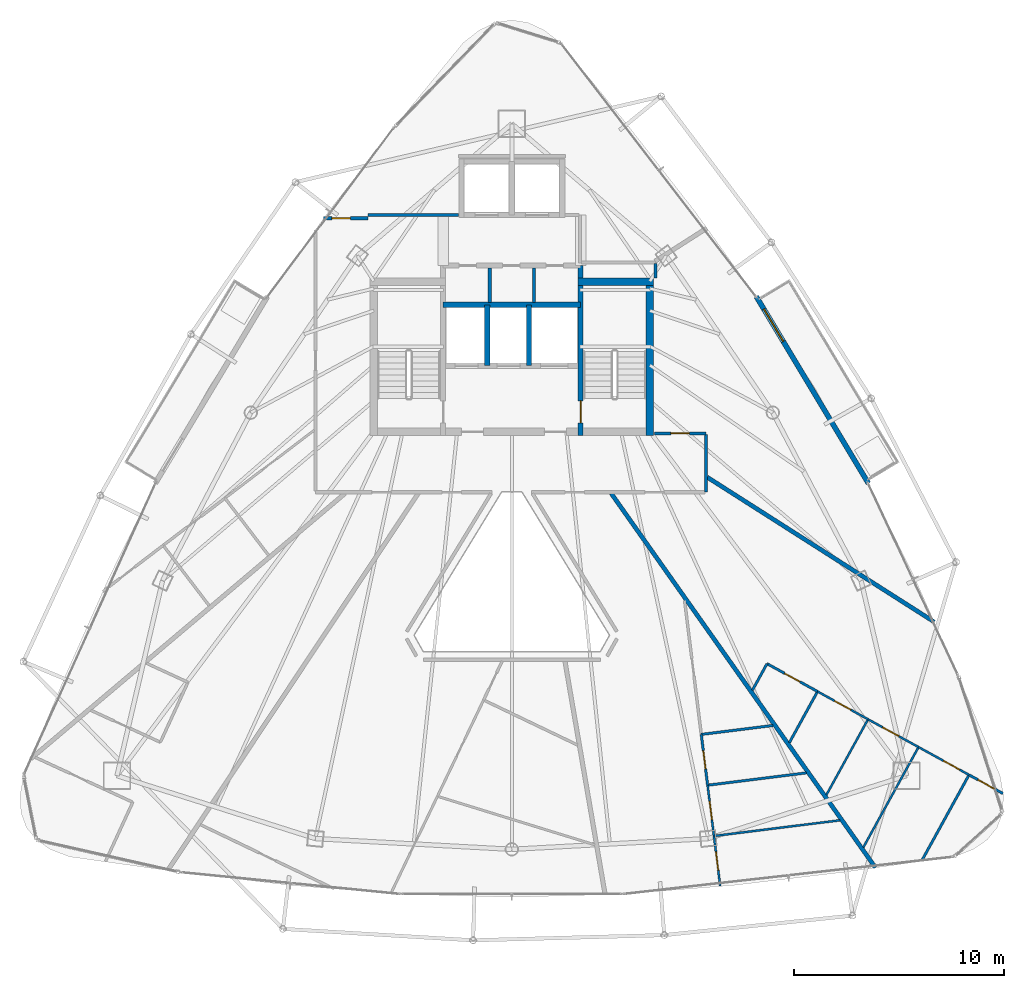
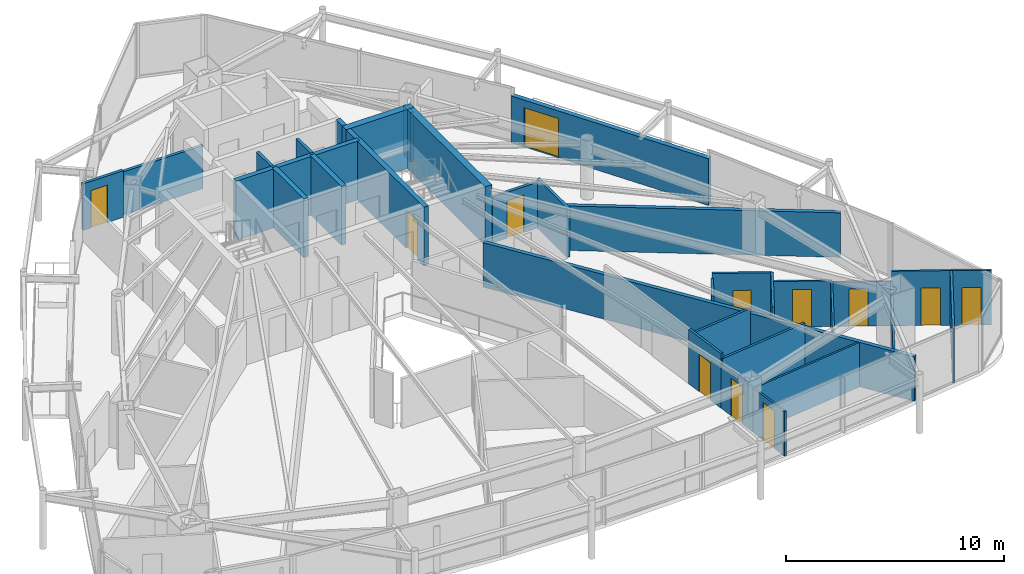
# One storey, part 29 of 33: 32 walls, 12 doors, 12 openings.
"""IFC4 building model written with IfcOpenShell, lengths in metres."""

from ifc_helpers import new_model, si_unit, direction, frame, frame_2d, origin, place, context, subcontext, project, spatial, rectangle, extrude, material, layer, layer_set, type_object, element, fill, save


model = new_model("IFC4")

# Units and contexts
model_context = context("Model", 3, precision=1e-05, world=origin(), true_north=direction((0.0, 1.0)))
body_context = subcontext(model_context, "Body", "Model", "MODEL_VIEW")
ifc_project = project(units=[si_unit("LENGTHUNIT", "METRE"), si_unit("AREAUNIT", "SQUARE_METRE"), si_unit("VOLUMEUNIT", "CUBIC_METRE"), si_unit("PLANEANGLEUNIT", "RADIAN"), si_unit("MASSUNIT", "GRAM", prefix="KILO")], contexts=[model_context])

# Site, building, storey
site_placement = place(None, origin())
site = spatial("IfcSite", under=ifc_project, at=site_placement, CompositionType="ELEMENT")
building_placement = place(site_placement, origin())
building = spatial("IfcBuilding", under=site, at=building_placement, Name="Orvanel Arch Residences", CompositionType="ELEMENT")
storey_placement = place(building_placement, frame((0.0, 0.0, 209.60009765625)))
storey = spatial("IfcBuildingStorey", under=building, at=storey_placement, Name="L59", CompositionType="ELEMENT", Elevation=209.60009765625)

# Wall, opening, door
ifc_material_1 = material(Name="Precast concrete N50 (50 MPa)", Category="concrete")
ifc_layer_1 = layer(ifc_material_1, 0.239990234375)
ifc_layer_set_1 = layer_set([ifc_layer_1], Name="Precast concrete N50 (50 MPa)")
wall_type_1 = type_object("IfcWallType", Name="EW-BAL-240", PredefinedType="SOLIDWALL", material=ifc_layer_set_1)
wall_1_placement = place(storey_placement, frame((49.98193359375, 24.27490234375, 0.0), z_axis=(0.0, 0.0, 1.0), x_axis=(-0.514391899557, 0.857555230682, 0.0)))
wall_1 = element("IfcWall", 1, at=wall_1_placement, inside=storey, type_object=wall_type_1, Name="L59 Balcony Threshold Wall Face 3", PredefinedType="SOLIDWALL", context=body_context, shape_type="SweptSolid", body=[
    extrude(rectangle(XDim=10.371337890625, YDim=0.239990234375, at=frame_2d((5.185546875, 0.0))), origin(), (0.0, 0.0, 1.0), 2.6240234375),
])
opening_1_placement = place(wall_1_placement, frame((7.8740234375, 0.0, 0.0)))
opening_1 = element("IfcOpeningElement", 2, at=opening_1_placement, cuts=wall_1, Name="Opening DB-180", PredefinedType="OPENING", context=body_context, shape_type="SweptSolid", body=[
    extrude(rectangle(XDim=1.800048828125, YDim=2.199951171875, at=frame_2d((0.89990234375, 1.10009765625))), frame((0.0, 0.1298828125, 0.0), z_axis=(0.0, -1.0, 0.0), x_axis=(1.0, 0.0, 0.0)), (0.0, 0.0, 1.0), 0.260009765625),
])
ifc_material_2 = material(Name="Bronze-anodised aluminium AA6063-T6", Category="aluminium")
door_type_1 = type_object("IfcDoorType", Name="DR-BAL-1800", OperationType="NOTDEFINED", PredefinedType="DOOR", material=ifc_material_2)
door_1_placement = place(opening_1_placement, origin())
door_1 = element("IfcDoor", 3, at=door_1_placement, inside=storey, type_object=door_type_1, Name="DR-L59-BAL-F3 L59 Planted Balcony Access Door Face 3", OperationType="SINGLE_SWING_LEFT", OverallHeight=2.199951171875, OverallWidth=1.800048828125, PredefinedType="DOOR", context=body_context, shape_type="SweptSolid", body=[
    extrude(rectangle(XDim=1.800048828125, YDim=2.199951171875, at=frame_2d((0.89990234375, 1.10009765625))), frame((0.0, 0.02490234375, 0.0), z_axis=(0.0, -1.0, 0.0), x_axis=(1.0, 0.0, 0.0)), (0.0, 0.0, 1.0), 0.050048828125),
])
fill(opening_1, door_1)

ifc_material_3 = material(Name="Concrete N50 (50 MPa)", Category="concrete")
ifc_layer_2 = layer(ifc_material_3, 0.25)
ifc_layer_set_2 = layer_set([ifc_layer_2], Name="Concrete N50 (50 MPa)")
wall_type_2 = type_object("IfcWallType", Name="SW-CORE-250", PredefinedType="SHEAR", material=ifc_layer_set_2)
wall_2_placement = place(storey_placement, frame((36.27490234375, 26.550048828125, 0.0), z_axis=(0.0, 0.0, 1.0), x_axis=(0.0, 1.0, 0.0)))
wall_2 = element("IfcWall", 4, at=wall_2_placement, inside=storey, type_object=wall_type_2, Name="L59 East Inner Core Spine Shear Wall", PredefinedType="SHEAR", context=body_context, shape_type="SweptSolid", body=[
    extrude(rectangle(XDim=8.099853515625, YDim=0.25, at=frame_2d((4.0498046875, 0.0))), origin(), (0.0, 0.0, 1.0), 3.2998046875),
])
opening_2_placement = place(wall_2_placement, frame((0.60009765625, 0.0, 0.0)))
opening_2 = element("IfcOpeningElement", 5, at=opening_2_placement, cuts=wall_2, Name="Opening DF-120", PredefinedType="OPENING", context=body_context, shape_type="SweptSolid", body=[
    extrude(rectangle(XDim=1.050048828125, YDim=2.14990234375, at=frame_2d((0.52490234375, 1.074951171875))), frame((0.0, 0.135009765625, 0.0), z_axis=(0.0, -1.0, 0.0), x_axis=(1.0, 0.0, 0.0)), (0.0, 0.0, 1.0), 0.27001953125),
])
ifc_material_4 = material(Name="Galvanised steel fire-resisting door assembly", Category="steel")
door_type_2 = type_object("IfcDoorType", Name="DR-FD120-1050", OperationType="NOTDEFINED", PredefinedType="DOOR", material=ifc_material_4)
door_2_placement = place(opening_2_placement, origin())
door_2 = element("IfcDoor", 6, at=door_2_placement, inside=storey, type_object=door_type_2, Name="DR-L59-ST2 L59 Stair 2 Fire Door", OperationType="SINGLE_SWING_RIGHT", OverallHeight=2.14990234375, OverallWidth=1.050048828125, PredefinedType="DOOR", context=body_context, shape_type="SweptSolid", body=[
    extrude(rectangle(XDim=1.050048828125, YDim=2.14990234375, at=frame_2d((0.52490234375, 1.074951171875))), frame((0.0, 0.02490234375, 0.0), z_axis=(0.0, -1.0, 0.0), x_axis=(1.0, 0.0, 0.0)), (0.0, 0.0, 1.0), 0.050048828125),
])
fill(opening_2, door_2)

# Walls
wall_3_placement = place(storey_placement, frame((29.72509765625, 32.77490234375, 0.0), z_axis=(0.0, 0.0, 1.0), x_axis=(1.0, 0.0, 0.0)))
element("IfcWall", 7, at=wall_3_placement, inside=storey, type_object=wall_type_2, Name="L59 Emergency Lift Back Core Shear Wall", PredefinedType="SHEAR", context=body_context, shape_type="SweptSolid", body=[
    extrude(rectangle(XDim=6.5498046875, YDim=0.25, at=frame_2d((3.27490234375, 0.0))), origin(), (0.0, 0.0, 1.0), 3.2998046875),
])
for number, where, z_axis, x_axis, name in (
    (8, (31.824951171875, 29.875, 0.0), (0.0, 0.0, 1.0), (0.0, 1.0, 0.0), "L59 Emergency Lift Inter-Shaft Wall F12"),
    (9, (33.824951171875, 29.875, 0.0), (0.0, 0.0, 1.0), (0.0, 1.0, 0.0), "L59 Emergency Lift Inter-Shaft Wall F2G"),
):
    element("IfcWall", number, at=place(storey_placement, frame(where, z_axis=z_axis, x_axis=x_axis)), inside=storey, type_object=wall_type_2, Name=name, PredefinedType="SHEAR", context=body_context, shape_type="SweptSolid", body=[
        extrude(rectangle(XDim=2.89990234375, YDim=0.25, at=frame_2d((1.449951171875, 0.0))), origin(), (0.0, 0.0, 1.0), 3.2998046875),
    ])
ifc_layer_3 = layer(ifc_material_3, 0.35009765625)
ifc_layer_set_3 = layer_set([ifc_layer_3], Name="Concrete N50 (50 MPa)")
wall_type_3 = type_object("IfcWallType", Name="SW-CORE-350", PredefinedType="SHEAR", material=ifc_layer_set_3)
wall_4_placement = place(storey_placement, frame((39.574951171875, 26.550048828125, 0.0), z_axis=(0.0, 0.0, 1.0), x_axis=(0.0, 1.0, 0.0)))
element("IfcWall", 10, at=wall_4_placement, inside=storey, type_object=wall_type_3, Name="L59 East Stair Shear Wall", PredefinedType="SHEAR", context=body_context, shape_type="SweptSolid", body=[
    extrude(rectangle(XDim=7.5, YDim=0.35009765625, at=frame_2d((3.75, 0.0))), origin(), (0.0, 0.0, 1.0), 3.2998046875),
])
wall_5_placement = place(storey_placement, frame((36.14990234375, 33.875, 0.0), z_axis=(0.0, 0.0, 1.0), x_axis=(1.0, 0.0, 0.0)))
element("IfcWall", 11, at=wall_5_placement, inside=storey, type_object=wall_type_3, Name="L59 East Stair North Shear Wall", PredefinedType="SHEAR", context=body_context, shape_type="SweptSolid", body=[
    extrude(rectangle(XDim=3.60009765625, YDim=0.35009765625, at=frame_2d((1.800048828125, 0.0))), origin(), (0.0, 0.0, 1.0), 3.2998046875),
])

# Wall, opening, door
ifc_material_5 = material(Name="Fire-rated plasterboard lined steel stud partition", Category="steel")
ifc_layer_4 = layer(ifc_material_5, 0.14990234375)
ifc_layer_set_4 = layer_set([ifc_layer_4], Name="Fire-rated plasterboard lined steel stud partition")
wall_type_4 = type_object("IfcWallType", Name="W-COR-150", PredefinedType="PARTITIONING", material=ifc_layer_set_4)
wall_6_placement = place(storey_placement, frame((24.028076171875, 36.89990234375, 0.0), z_axis=(0.0, 0.0, 1.0), x_axis=(1.0, 0.0, 0.0)))
wall_6 = element("IfcWall", 12, at=wall_6_placement, inside=storey, type_object=wall_type_4, Name="L59 Corridor Fire-Rated Partition", PredefinedType="PARTITIONING", context=body_context, shape_type="SweptSolid", body=[
    extrude(rectangle(XDim=2.121826171875, YDim=0.14990234375, at=frame_2d((1.06103515625, 0.0))), origin(), (0.0, 0.0, 1.0), 2.618896484375),
])
opening_3_placement = place(wall_6_placement, frame((0.406005859375, 0.0, 0.0)))
opening_3 = element("IfcOpeningElement", 13, at=opening_3_placement, cuts=wall_6, Name="Opening DI-088", PredefinedType="OPENING", context=body_context, shape_type="SweptSolid", body=[
    extrude(rectangle(XDim=0.8798828125, YDim=2.10009765625, at=frame_2d((0.43994140625, 1.050048828125))), frame((0.0, 0.0849609375, 0.0), z_axis=(0.0, -1.0, 0.0), x_axis=(1.0, 0.0, 0.0)), (0.0, 0.0, 1.0), 0.169921875),
])
ifc_material_6 = material(Name="Solid-core European oak veneer fire door leaf", Category="wood")
door_type_3 = type_object("IfcDoorType", Name="DR-INT-880", OperationType="NOTDEFINED", PredefinedType="DOOR", material=ifc_material_6)
door_3_placement = place(opening_3_placement, origin())
door_3 = element("IfcDoor", 14, at=door_3_placement, inside=storey, type_object=door_type_3, Name="DR-L59-SHRD-FB7 L59 Co-Working Study Office G Door", OperationType="SINGLE_SWING_LEFT", OverallHeight=2.10009765625, OverallWidth=0.8798828125, PredefinedType="DOOR", context=body_context, shape_type="SweptSolid", body=[
    extrude(rectangle(XDim=0.8798828125, YDim=2.10009765625, at=frame_2d((0.43994140625, 1.050048828125))), frame((0.0, 0.02490234375, 0.0), z_axis=(0.0, -1.0, 0.0), x_axis=(1.0, 0.0, 0.0)), (0.0, 0.0, 1.0), 0.050048828125),
])
fill(opening_3, door_3)

wall_7_placement = place(storey_placement, frame((39.7900390625, 26.64990234375, 0.0), z_axis=(0.0, 0.0, 1.0), x_axis=(1.0, 0.0, 0.0)))
wall_7 = element("IfcWall", 15, at=wall_7_placement, inside=storey, type_object=wall_type_4, Name="L59 Corridor Fire-Rated Partition", PredefinedType="PARTITIONING", context=body_context, shape_type="SweptSolid", body=[
    extrude(rectangle(XDim=2.4599609375, YDim=0.14990234375, at=frame_2d((1.22998046875, 0.0))), origin(), (0.0, 0.0, 1.0), 2.56494140625),
])
opening_4_placement = place(wall_7_placement, frame((0.7900390625, 0.0, 0.0)))
opening_4 = element("IfcOpeningElement", 16, at=opening_4_placement, cuts=wall_7, Name="Opening DI-088", PredefinedType="OPENING", context=body_context, shape_type="SweptSolid", body=[
    extrude(rectangle(XDim=0.8798828125, YDim=2.10009765625, at=frame_2d((0.43994140625, 1.050048828125))), frame((0.0, 0.0849609375, 0.0), z_axis=(0.0, -1.0, 0.0), x_axis=(1.0, 0.0, 0.0)), (0.0, 0.0, 1.0), 0.169921875),
])
door_4_placement = place(opening_4_placement, origin())
door_4 = element("IfcDoor", 17, at=door_4_placement, inside=storey, type_object=door_type_3, Name="DR-L59-SHRD-FB6 L59 Co-Working Study Office F Door", OperationType="SINGLE_SWING_LEFT", OverallHeight=2.10009765625, OverallWidth=0.8798828125, PredefinedType="DOOR", context=body_context, shape_type="SweptSolid", body=[
    extrude(rectangle(XDim=0.8798828125, YDim=2.10009765625, at=frame_2d((0.43994140625, 1.050048828125))), frame((0.0, 0.02490234375, 0.0), z_axis=(0.0, -1.0, 0.0), x_axis=(1.0, 0.0, 0.0)), (0.0, 0.0, 1.0), 0.050048828125),
])
fill(opening_4, door_4)

# Walls
wall_8_placement = place(storey_placement, frame((42.25, 26.590087890625, 0.0), z_axis=(0.0, 0.0, 1.0), x_axis=(0.0, -1.0, 0.0)))
element("IfcWall", 18, at=wall_8_placement, inside=storey, type_object=wall_type_4, Name="L59 Corridor Fire-Rated Partition", PredefinedType="PARTITIONING", context=body_context, shape_type="SweptSolid", body=[
    extrude(rectangle(XDim=2.739990234375, YDim=0.14990234375, at=frame_2d((1.3701171875, 0.0))), origin(), (0.0, 0.0, 1.0), 2.77294921875),
])
wall_9_placement = place(storey_placement, frame((26.14990234375, 37.050048828125, 0.0), z_axis=(0.0, 0.0, 1.0), x_axis=(1.0, 0.0, 0.0)))
element("IfcWall", 19, at=wall_9_placement, inside=storey, type_object=wall_type_4, Name="L59 Core Perimeter Partition", PredefinedType="PARTITIONING", context=body_context, shape_type="SweptSolid", body=[
    extrude(rectangle(XDim=4.300048828125, YDim=0.14990234375, at=frame_2d((2.14990234375, 0.0))), origin(), (0.0, 0.0, 1.0), 2.4248046875),
])
wall_10_placement = place(storey_placement, frame((39.85009765625, 34.739990234375, 0.0), z_axis=(0.0, 0.0, 1.0), x_axis=(0.0, -1.0, 0.0)))
element("IfcWall", 20, at=wall_10_placement, inside=storey, type_object=wall_type_4, Name="L59 Core Perimeter Partition", PredefinedType="PARTITIONING", context=body_context, shape_type="SweptSolid", body=[
    extrude(rectangle(XDim=0.68994140625, YDim=0.14990234375, at=frame_2d((0.344970703125, 0.0))), origin(), (0.0, 0.0, 1.0), 2.77294921875),
])
ifc_layer_5 = layer(ifc_material_5, 0.199951171875)
ifc_layer_set_5 = layer_set([ifc_layer_5], Name="Fire-rated plasterboard lined steel stud partition")
wall_type_5 = type_object("IfcWallType", Name="W-DEM-200", PredefinedType="PARTITIONING", material=ifc_layer_set_5)
wall_11_placement = place(storey_placement, frame((50.31591796875, 5.97607421875, 0.0), z_axis=(0.0, 0.0, 1.0), x_axis=(-0.576784728977, 0.816896184603, 0.0)))
element("IfcWall", 21, at=wall_11_placement, inside=storey, type_object=wall_type_5, Name="L59 Inter-Tenancy Acoustic Demising Wall", PredefinedType="PARTITIONING", context=body_context, shape_type="SweptSolid", body=[
    extrude(rectangle(XDim=21.806884765625, YDim=0.199951171875, at=frame_2d((10.9033203125, 0.0))), origin(), (0.0, 0.0, 1.0), 2.491943359375),
])
wall_12_placement = place(storey_placement, frame((42.31005859375, 24.56494140625, 0.0), z_axis=(0.0, 0.0, 1.0), x_axis=(0.843209388644, -0.537585274075, 0.0)))
element("IfcWall", 22, at=wall_12_placement, inside=storey, type_object=wall_type_5, Name="L59 Inter-Tenancy Acoustic Demising Wall", PredefinedType="PARTITIONING", context=body_context, shape_type="SweptSolid", body=[
    extrude(rectangle(XDim=12.81640625, YDim=0.199951171875, at=frame_2d((6.408203125, 0.0))), origin(), (0.0, 0.0, 1.0), 2.491943359375),
])

# Wall, opening, door
ifc_material_7 = material(Name="Acoustic plasterboard lined twin-stud partition", Category="gypsum")
ifc_layer_6 = layer(ifc_material_7, 0.10009765625)
ifc_layer_set_6 = layer_set([ifc_layer_6], Name="Acoustic plasterboard lined twin-stud partition")
wall_type_6 = type_object("IfcWallType", Name="W-INT-100", PredefinedType="PARTITIONING", material=ifc_layer_set_6)
wall_13_placement = place(storey_placement, frame((54.77587890625, 10.389892578125, 0.0), z_axis=(0.0, 0.0, 1.0), x_axis=(-0.876159561865, 0.48202118434, 0.0)))
wall_13 = element("IfcWall", 23, at=wall_13_placement, inside=storey, type_object=wall_type_6, Name="L59 Studio B Internal Partition", PredefinedType="PARTITIONING", context=body_context, shape_type="SweptSolid", body=[
    extrude(rectangle(XDim=2.74462890625, YDim=0.10009765625, at=frame_2d((1.372314453125, 0.0))), origin(), (0.0, 0.0, 1.0), 3.059814453125),
])
opening_5_placement = place(wall_13_placement, frame((0.508056640625, 0.0, 0.0)))
opening_5 = element("IfcOpeningElement", 24, at=opening_5_placement, cuts=wall_13, Name="Opening DI-088", PredefinedType="OPENING", context=body_context, shape_type="SweptSolid", body=[
    extrude(rectangle(XDim=0.8798828125, YDim=2.10009765625, at=frame_2d((0.43994140625, 1.050048828125))), frame((0.0, 0.06005859375, 0.0), z_axis=(0.0, -1.0, 0.0), x_axis=(1.0, 0.0, 0.0)), (0.0, 0.0, 1.0), 0.1201171875),
])
door_5_placement = place(opening_5_placement, origin())
door_5 = element("IfcDoor", 25, at=door_5_placement, inside=storey, type_object=door_type_3, Name="DR-L59-B-WRD1 L59 Studio B Walk-In Wardrobe 2 Door", OperationType="SINGLE_SWING_LEFT", OverallHeight=2.10009765625, OverallWidth=0.8798828125, PredefinedType="DOOR", context=body_context, shape_type="SweptSolid", body=[
    extrude(rectangle(XDim=0.8798828125, YDim=2.10009765625, at=frame_2d((0.43994140625, 1.050048828125))), frame((0.0, 0.02490234375, 0.0), z_axis=(0.0, -1.0, 0.0), x_axis=(1.0, 0.0, 0.0)), (0.0, 0.0, 1.0), 0.050048828125),
])
fill(opening_5, door_5)

wall_14_placement = place(storey_placement, frame((52.37109375, 11.712890625, 0.0), z_axis=(0.0, 0.0, 1.0), x_axis=(-0.87599239457, 0.482324916064, 0.0)))
wall_14 = element("IfcWall", 26, at=wall_14_placement, inside=storey, type_object=wall_type_6, Name="L59 Studio B Internal Partition", PredefinedType="PARTITIONING", context=body_context, shape_type="SweptSolid", body=[
    extrude(rectangle(XDim=2.74560546875, YDim=0.10009765625, at=frame_2d((1.372802734375, 0.0))), origin(), (0.0, 0.0, 1.0), 2.491943359375),
])
opening_6_placement = place(wall_14_placement, frame((1.073974609375, 0.0, 0.0)))
opening_6 = element("IfcOpeningElement", 27, at=opening_6_placement, cuts=wall_14, Name="Opening DI-088", PredefinedType="OPENING", context=body_context, shape_type="SweptSolid", body=[
    extrude(rectangle(XDim=0.8798828125, YDim=2.10009765625, at=frame_2d((0.43994140625, 1.050048828125))), frame((0.0, 0.06005859375, 0.0), z_axis=(0.0, -1.0, 0.0), x_axis=(1.0, 0.0, 0.0)), (0.0, 0.0, 1.0), 0.1201171875),
])
door_6_placement = place(opening_6_placement, origin())
door_6 = element("IfcDoor", 28, at=door_6_placement, inside=storey, type_object=door_type_3, Name="DR-L59-B-DIN2 L59 Studio B Dining Room 2 Door", OperationType="SINGLE_SWING_LEFT", OverallHeight=2.10009765625, OverallWidth=0.8798828125, PredefinedType="DOOR", context=body_context, shape_type="SweptSolid", body=[
    extrude(rectangle(XDim=0.8798828125, YDim=2.10009765625, at=frame_2d((0.43994140625, 1.050048828125))), frame((0.0, 0.02490234375, 0.0), z_axis=(0.0, -1.0, 0.0), x_axis=(1.0, 0.0, 0.0)), (0.0, 0.0, 1.0), 0.050048828125),
])
fill(opening_6, door_6)

wall_15_placement = place(storey_placement, frame((49.966064453125, 13.037109375, 0.0), z_axis=(0.0, 0.0, 1.0), x_axis=(-0.876029965154, 0.482256674554, 0.0)))
wall_15 = element("IfcWall", 29, at=wall_15_placement, inside=storey, type_object=wall_type_6, Name="L59 Studio B Internal Partition", PredefinedType="PARTITIONING", context=body_context, shape_type="SweptSolid", body=[
    extrude(rectangle(XDim=2.745361328125, YDim=0.10009765625, at=frame_2d((1.37255859375, 0.0))), origin(), (0.0, 0.0, 1.0), 2.56494140625),
])
opening_7_placement = place(wall_15_placement, frame((0.93310546875, 0.0, 0.0)))
opening_7 = element("IfcOpeningElement", 30, at=opening_7_placement, cuts=wall_15, Name="Opening DI-088", PredefinedType="OPENING", context=body_context, shape_type="SweptSolid", body=[
    extrude(rectangle(XDim=0.8798828125, YDim=2.10009765625, at=frame_2d((0.43994140625, 1.050048828125))), frame((0.0, 0.06005859375, 0.0), z_axis=(0.0, -1.0, 0.0), x_axis=(1.0, 0.0, 0.0)), (0.0, 0.0, 1.0), 0.1201171875),
])
door_7_placement = place(opening_7_placement, origin())
door_7 = element("IfcDoor", 31, at=door_7_placement, inside=storey, type_object=door_type_3, Name="DR-L59-B-WRD3 L59 Studio B Walk-In Wardrobe 3 Door", OperationType="SINGLE_SWING_LEFT", OverallHeight=2.10009765625, OverallWidth=0.8798828125, PredefinedType="DOOR", context=body_context, shape_type="SweptSolid", body=[
    extrude(rectangle(XDim=0.8798828125, YDim=2.10009765625, at=frame_2d((0.43994140625, 1.050048828125))), frame((0.0, 0.02490234375, 0.0), z_axis=(0.0, -1.0, 0.0), x_axis=(1.0, 0.0, 0.0)), (0.0, 0.0, 1.0), 0.050048828125),
])
fill(opening_7, door_7)

# Walls
wall_16_placement = place(storey_placement, frame((49.741943359375, 6.93701171875, 0.0), z_axis=(0.0, 0.0, 1.0), x_axis=(0.482259092216, 0.876028634221, 0.0)))
element("IfcWall", 32, at=wall_16_placement, inside=storey, type_object=wall_type_6, Name="L59 Studio B Internal Partition", PredefinedType="PARTITIONING", context=body_context, shape_type="SweptSolid", body=[
    extrude(rectangle(XDim=5.45166015625, YDim=0.10009765625, at=frame_2d((2.725830078125, 0.0))), origin(), (0.0, 0.0, 1.0), 2.491943359375),
])
wall_17_placement = place(storey_placement, frame((47.98095703125, 9.430908203125, 0.0), z_axis=(0.0, 0.0, 1.0), x_axis=(0.482235180657, 0.876041797255, 0.0)))
element("IfcWall", 33, at=wall_17_placement, inside=storey, type_object=wall_type_6, Name="L59 Studio B Internal Partition", PredefinedType="PARTITIONING", context=body_context, shape_type="SweptSolid", body=[
    extrude(rectangle(XDim=4.116455078125, YDim=0.10009765625, at=frame_2d((2.05810546875, 0.0))), origin(), (0.0, 0.0, 1.0), 2.491943359375),
])

# Wall, opening, door
wall_18_placement = place(storey_placement, frame((42.6279296875, 7.47802734375, 0.0), z_axis=(0.0, 0.0, 1.0), x_axis=(0.123572330504, -0.992335567806, 0.0)))
wall_18 = element("IfcWall", 34, at=wall_18_placement, inside=storey, type_object=wall_type_6, Name="L59 Flat C Internal Partition", PredefinedType="PARTITIONING", context=body_context, shape_type="SweptSolid", body=[
    extrude(rectangle(XDim=2.404296875, YDim=0.10009765625, at=frame_2d((1.2021484375, 0.0))), origin(), (0.0, 0.0, 1.0), 2.491943359375),
])
opening_8_placement = place(wall_18_placement, frame((0.761962890625, 0.0, 0.0)))
opening_8 = element("IfcOpeningElement", 35, at=opening_8_placement, cuts=wall_18, Name="Opening DI-088", PredefinedType="OPENING", context=body_context, shape_type="SweptSolid", body=[
    extrude(rectangle(XDim=0.8798828125, YDim=2.10009765625, at=frame_2d((0.43994140625, 1.050048828125))), frame((0.0, 0.06005859375, 0.0), z_axis=(0.0, -1.0, 0.0), x_axis=(1.0, 0.0, 0.0)), (0.0, 0.0, 1.0), 0.1201171875),
])
door_8_placement = place(opening_8_placement, origin())
door_8 = element("IfcDoor", 36, at=door_8_placement, inside=storey, type_object=door_type_3, Name="DR-L59-C-BED1 L59 Flat C Bedroom 1 Door", OperationType="SINGLE_SWING_LEFT", OverallHeight=2.10009765625, OverallWidth=0.8798828125, PredefinedType="DOOR", context=body_context, shape_type="SweptSolid", body=[
    extrude(rectangle(XDim=0.8798828125, YDim=2.10009765625, at=frame_2d((0.43994140625, 1.050048828125))), frame((0.0, 0.02490234375, 0.0), z_axis=(0.0, -1.0, 0.0), x_axis=(1.0, 0.0, 0.0)), (0.0, 0.0, 1.0), 0.050048828125),
])
fill(opening_8, door_8)

wall_19_placement = place(storey_placement, frame((42.325927734375, 9.89697265625, 0.0), z_axis=(0.0, 0.0, 1.0), x_axis=(0.123886817851, -0.992296355109, 0.0)))
wall_19 = element("IfcWall", 37, at=wall_19_placement, inside=storey, type_object=wall_type_6, Name="L59 Flat C Internal Partition", PredefinedType="PARTITIONING", context=body_context, shape_type="SweptSolid", body=[
    extrude(rectangle(XDim=2.437744140625, YDim=0.10009765625, at=frame_2d((1.21875, 0.0))), origin(), (0.0, 0.0, 1.0), 2.491943359375),
])
opening_9_placement = place(wall_19_placement, frame((0.779052734375, 0.0, 0.0)))
opening_9 = element("IfcOpeningElement", 38, at=opening_9_placement, cuts=wall_19, Name="Opening DI-088", PredefinedType="OPENING", context=body_context, shape_type="SweptSolid", body=[
    extrude(rectangle(XDim=0.8798828125, YDim=2.10009765625, at=frame_2d((0.43994140625, 1.050048828125))), frame((0.0, 0.06005859375, 0.0), z_axis=(0.0, -1.0, 0.0), x_axis=(1.0, 0.0, 0.0)), (0.0, 0.0, 1.0), 0.1201171875),
])
door_9_placement = place(opening_9_placement, origin())
door_9 = element("IfcDoor", 39, at=door_9_placement, inside=storey, type_object=door_type_3, Name="DR-L59-C-DIN2 L59 Flat C Dining Room 2 Door", OperationType="SINGLE_SWING_LEFT", OverallHeight=2.10009765625, OverallWidth=0.8798828125, PredefinedType="DOOR", context=body_context, shape_type="SweptSolid", body=[
    extrude(rectangle(XDim=0.8798828125, YDim=2.10009765625, at=frame_2d((0.43994140625, 1.050048828125))), frame((0.0, 0.02490234375, 0.0), z_axis=(0.0, -1.0, 0.0), x_axis=(1.0, 0.0, 0.0)), (0.0, 0.0, 1.0), 0.050048828125),
])
fill(opening_9, door_9)

# Walls
wall_20_placement = place(storey_placement, frame((42.6279296875, 7.47802734375, 0.0), z_axis=(0.0, 0.0, 1.0), x_axis=(0.992305206969, 0.123815896488, 0.0)))
element("IfcWall", 40, at=wall_20_placement, inside=storey, type_object=wall_type_6, Name="L59 Flat C Internal Partition", PredefinedType="PARTITIONING", context=body_context, shape_type="SweptSolid", body=[
    extrude(rectangle(XDim=6.04150390625, YDim=0.10009765625, at=frame_2d((3.020751953125, 0.0))), origin(), (0.0, 0.0, 1.0), 2.491943359375),
])
ifc_layer_7 = layer(ifc_material_5, 0.14990234375)
ifc_layer_set_7 = layer_set([ifc_layer_7], Name="Fire-rated plasterboard lined steel stud partition")
wall_type_7 = type_object("IfcWallType", Name="W-ST-150", PredefinedType="PARTITIONING", material=ifc_layer_set_7)
for number, where, z_axis, x_axis, name in (
    (41, (31.949951171875, 32.885009765625, 0.0), (0.0, 0.0, 1.0), (0.0, 1.0, 0.0), "L59 Core Service Partition 1"),
    (42, (34.050048828125, 32.885009765625, 0.0), (0.0, 0.0, 1.0), (0.0, 1.0, 0.0), "L59 Core Service Partition 2"),
):
    element("IfcWall", number, at=place(storey_placement, frame(where, z_axis=z_axis, x_axis=x_axis)), inside=storey, type_object=wall_type_7, Name=name, PredefinedType="PARTITIONING", context=body_context, shape_type="SweptSolid", body=[
        extrude(rectangle(XDim=1.655029296875, YDim=0.14990234375, at=frame_2d((0.82763671875, 0.0))), origin(), (0.0, 0.0, 1.0), 3.059814453125),
    ])

# Wall, opening, door
ifc_layer_8 = layer(ifc_material_7, 0.1201171875)
ifc_layer_set_8 = layer_set([ifc_layer_8], Name="Acoustic plasterboard lined twin-stud partition")
wall_type_8 = type_object("IfcWallType", Name="W-WET-120", PredefinedType="PARTITIONING", material=ifc_layer_set_8)
wall_21_placement = place(storey_placement, frame((47.56103515625, 14.361083984375, 0.0), z_axis=(0.0, 0.0, 1.0), x_axis=(-0.876029965154, 0.482256674554, 0.0)))
wall_21 = element("IfcWall", 43, at=wall_21_placement, inside=storey, type_object=wall_type_8, Name="L59 Studio B Bathroom Partition", PredefinedType="PARTITIONING", context=body_context, shape_type="SweptSolid", body=[
    extrude(rectangle(XDim=2.745361328125, YDim=0.1201171875, at=frame_2d((1.37255859375, 0.0))), origin(), (0.0, 0.0, 1.0), 3.059814453125),
])
opening_10_placement = place(wall_21_placement, frame((0.962890625, 0.0, 0.0)))
opening_10 = element("IfcOpeningElement", 44, at=opening_10_placement, cuts=wall_21, Name="Opening DW-082", PredefinedType="OPENING", context=body_context, shape_type="SweptSolid", body=[
    extrude(rectangle(XDim=0.820068359375, YDim=2.10009765625, at=frame_2d((0.41015625, 1.050048828125))), frame((0.0, 0.070068359375, 0.0), z_axis=(0.0, -1.0, 0.0), x_axis=(1.0, 0.0, 0.0)), (0.0, 0.0, 1.0), 0.14013671875),
])
door_type_4 = type_object("IfcDoorType", Name="DR-WET-820", OperationType="NOTDEFINED", PredefinedType="DOOR", material=ifc_material_6)
door_10_placement = place(opening_10_placement, origin())
door_10 = element("IfcDoor", 45, at=door_10_placement, inside=storey, type_object=door_type_4, Name="DR-L59-B-BATH L59 Studio B Bathroom Door", OperationType="SINGLE_SWING_RIGHT", OverallHeight=2.10009765625, OverallWidth=0.820068359375, PredefinedType="DOOR", context=body_context, shape_type="SweptSolid", body=[
    extrude(rectangle(XDim=0.820068359375, YDim=2.10009765625, at=frame_2d((0.41015625, 1.050048828125))), frame((0.0, 0.02490234375, 0.0), z_axis=(0.0, -1.0, 0.0), x_axis=(1.0, 0.0, 0.0)), (0.0, 0.0, 1.0), 0.050048828125),
])
fill(opening_10, door_10)

# Wall
wall_22_placement = place(storey_placement, frame((45.156005859375, 15.68505859375, 0.0), z_axis=(0.0, 0.0, 1.0), x_axis=(-0.482268873401, -0.876023249548, 0.0)))
element("IfcWall", 46, at=wall_22_placement, inside=storey, type_object=wall_type_8, Name="L59 Studio B Bathroom Partition", PredefinedType="PARTITIONING", context=body_context, shape_type="SweptSolid", body=[
    extrude(rectangle(XDim=1.4453125, YDim=0.1201171875, at=frame_2d((0.72265625, 0.0))), origin(), (0.0, 0.0, 1.0), 2.77294921875),
])

# Wall, opening, door
wall_23_placement = place(storey_placement, frame((56.39501953125, 9.4990234375, 0.0), z_axis=(0.0, 0.0, 1.0), x_axis=(-0.876137798995, 0.482060740128, 0.0)))
wall_23 = element("IfcWall", 47, at=wall_23_placement, inside=storey, type_object=wall_type_8, Name="L59 Studio B Internal Partition", PredefinedType="PARTITIONING", context=body_context, shape_type="SweptSolid", body=[
    extrude(rectangle(XDim=1.84814453125, YDim=0.1201171875, at=frame_2d((0.924072265625, 0.0))), origin(), (0.0, 0.0, 1.0), 3.059814453125),
])
opening_11_placement = place(wall_23_placement, frame((0.48388671875, 0.0, 0.0)))
opening_11 = element("IfcOpeningElement", 48, at=opening_11_placement, cuts=wall_23, Name="Opening DI-088", PredefinedType="OPENING", context=body_context, shape_type="SweptSolid", body=[
    extrude(rectangle(XDim=0.8798828125, YDim=2.10009765625, at=frame_2d((0.43994140625, 1.050048828125))), frame((0.0, 0.070068359375, 0.0), z_axis=(0.0, -1.0, 0.0), x_axis=(1.0, 0.0, 0.0)), (0.0, 0.0, 1.0), 0.14013671875),
])
door_11_placement = place(opening_11_placement, origin())
door_11 = element("IfcDoor", 49, at=door_11_placement, inside=storey, type_object=door_type_3, Name="DR-L59-B-KIT L59 Studio B Kitchenette Door", OperationType="SINGLE_SWING_LEFT", OverallHeight=2.10009765625, OverallWidth=0.8798828125, PredefinedType="DOOR", context=body_context, shape_type="SweptSolid", body=[
    extrude(rectangle(XDim=0.8798828125, YDim=2.10009765625, at=frame_2d((0.43994140625, 1.050048828125))), frame((0.0, 0.02490234375, 0.0), z_axis=(0.0, -1.0, 0.0), x_axis=(1.0, 0.0, 0.0)), (0.0, 0.0, 1.0), 0.050048828125),
])
fill(opening_11, door_11)

# Walls
wall_24_placement = place(storey_placement, frame((47.56103515625, 14.361083984375, 0.0), z_axis=(0.0, 0.0, 1.0), x_axis=(-0.482262481374, -0.87602676846, 0.0)))
element("IfcWall", 50, at=wall_24_placement, inside=storey, type_object=wall_type_8, Name="L59 Studio B Bathroom Partition", PredefinedType="PARTITIONING", context=body_context, shape_type="SweptSolid", body=[
    extrude(rectangle(XDim=2.78076171875, YDim=0.1201171875, at=frame_2d((1.390380859375, 0.0))), origin(), (0.0, 0.0, 1.0), 3.059814453125),
])
wall_25_placement = place(storey_placement, frame((52.514892578125, 6.282958984375, 0.0), z_axis=(0.0, 0.0, 1.0), x_axis=(0.482274545088, 0.876020127143, 0.0)))
element("IfcWall", 51, at=wall_25_placement, inside=storey, type_object=wall_type_8, Name="L59 Studio B Internal Partition", PredefinedType="PARTITIONING", context=body_context, shape_type="SweptSolid", body=[
    extrude(rectangle(XDim=4.688232421875, YDim=0.1201171875, at=frame_2d((2.34423828125, 0.0))), origin(), (0.0, 0.0, 1.0), 3.059814453125),
])

# Wall, opening, door
wall_26_placement = place(storey_placement, frame((42.02392578125, 12.31689453125, 0.0), z_axis=(0.0, 0.0, 1.0), x_axis=(0.123837590029, -0.992302499894, 0.0)))
wall_26 = element("IfcWall", 52, at=wall_26_placement, inside=storey, type_object=wall_type_8, Name="L59 Flat C Internal Partition", PredefinedType="PARTITIONING", context=body_context, shape_type="SweptSolid", body=[
    extrude(rectangle(XDim=2.438720703125, YDim=0.1201171875, at=frame_2d((1.21923828125, 0.0))), origin(), (0.0, 0.0, 1.0), 3.059814453125),
])
opening_12_placement = place(wall_26_placement, frame((0.779052734375, 0.0, 0.0)))
opening_12 = element("IfcOpeningElement", 53, at=opening_12_placement, cuts=wall_26, Name="Opening DI-088", PredefinedType="OPENING", context=body_context, shape_type="SweptSolid", body=[
    extrude(rectangle(XDim=0.8798828125, YDim=2.10009765625, at=frame_2d((0.43994140625, 1.050048828125))), frame((0.0, 0.070068359375, 0.0), z_axis=(0.0, -1.0, 0.0), x_axis=(1.0, 0.0, 0.0)), (0.0, 0.0, 1.0), 0.14013671875),
])
door_12_placement = place(opening_12_placement, origin())
door_12 = element("IfcDoor", 54, at=door_12_placement, inside=storey, type_object=door_type_3, Name="DR-L59-C-KIT L59 Flat C Kitchen Door", OperationType="SINGLE_SWING_LEFT", OverallHeight=2.10009765625, OverallWidth=0.8798828125, PredefinedType="DOOR", context=body_context, shape_type="SweptSolid", body=[
    extrude(rectangle(XDim=0.8798828125, YDim=2.10009765625, at=frame_2d((0.43994140625, 1.050048828125))), frame((0.0, 0.02490234375, 0.0), z_axis=(0.0, -1.0, 0.0), x_axis=(1.0, 0.0, 0.0)), (0.0, 0.0, 1.0), 0.050048828125),
])
fill(opening_12, door_12)

# Walls
wall_27_placement = place(storey_placement, frame((45.43505859375, 12.741943359375, 0.0), z_axis=(0.0, 0.0, 1.0), x_axis=(-0.99232587892, -0.123650111308, 0.0)))
element("IfcWall", 55, at=wall_27_placement, inside=storey, type_object=wall_type_8, Name="L59 Flat C Bathroom Partition", PredefinedType="PARTITIONING", context=body_context, shape_type="SweptSolid", body=[
    extrude(rectangle(XDim=3.4375, YDim=0.1201171875, at=frame_2d((1.71875, 0.0))), origin(), (0.0, 0.0, 1.0), 2.77294921875),
])
wall_28_placement = place(storey_placement, frame((47.029052734375, 10.48388671875, 0.0), z_axis=(0.0, 0.0, 1.0), x_axis=(-0.992303215116, -0.123831858863, 0.0)))
element("IfcWall", 56, at=wall_28_placement, inside=storey, type_object=wall_type_8, Name="L59 Flat C Internal Partition", PredefinedType="PARTITIONING", context=body_context, shape_type="SweptSolid", body=[
    extrude(rectangle(XDim=4.739501953125, YDim=0.1201171875, at=frame_2d((2.36962890625, 0.0))), origin(), (0.0, 0.0, 1.0), 2.77294921875),
])

save(model, "model.ifc")
